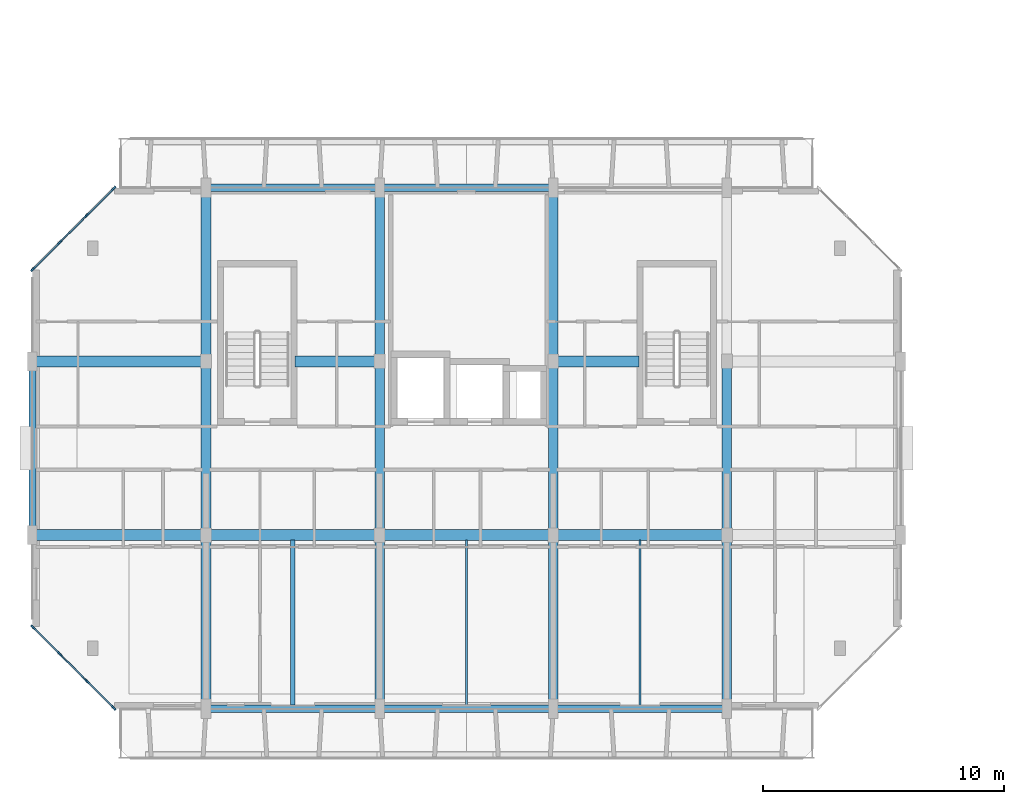
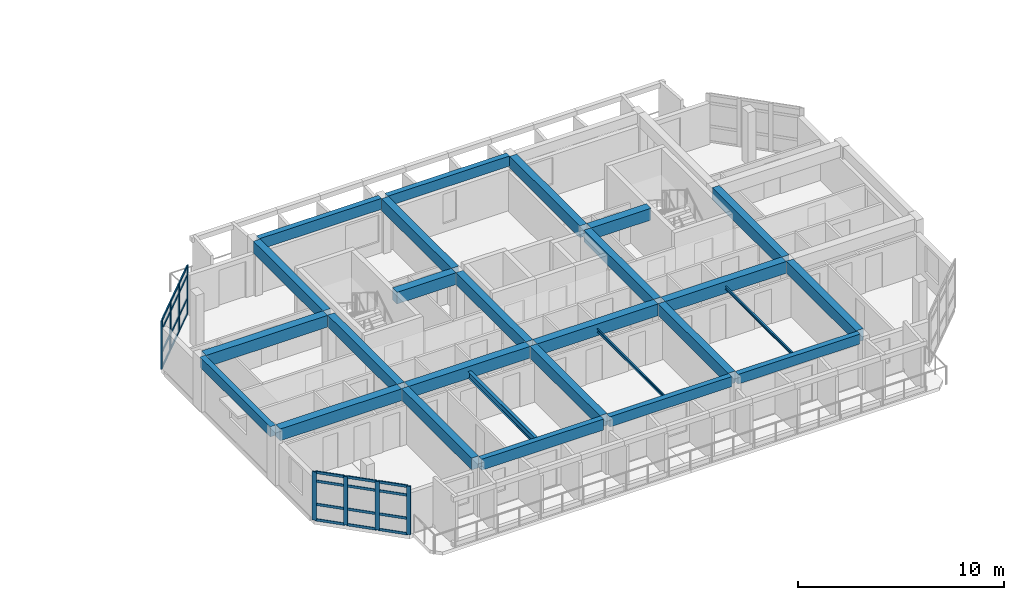
# One storey, part 3 of 44: 32 members, 27 beams, 2 elements without a shape of their own.
"""IFC4 building model written with IfcOpenShell, lengths in metres."""

from ifc_helpers import new_model, si_unit, direction, frame, origin, origin_2d, place, context, subcontext, project, spatial, rectangle, i_section, u_section, extrude, material, layer, layer_set, material_profile, profile_set, type_object, element, aggregate, save


model = new_model("IFC4")

# Units and contexts
model_context = context("Model", 3, precision=1e-05, world=origin(), true_north=direction((0.0, 1.0)))
body_context = subcontext(model_context, "Body", "Model", "MODEL_VIEW")
ifc_project = project(units=[si_unit("LENGTHUNIT", "METRE"), si_unit("AREAUNIT", "SQUARE_METRE"), si_unit("VOLUMEUNIT", "CUBIC_METRE"), si_unit("PLANEANGLEUNIT", "RADIAN"), si_unit("MASSUNIT", "GRAM", prefix="KILO")], contexts=[model_context])

# Site, building, storey
site_placement = place(None, origin())
site = spatial("IfcSite", under=ifc_project, at=site_placement, CompositionType="ELEMENT")
building_placement = place(site_placement, origin())
building = spatial("IfcBuilding", under=site, at=building_placement, Name="Ochrevale Crest", CompositionType="ELEMENT")
storey_placement = place(building_placement, frame((0.0, 0.0, 21.300048828125)))
storey = spatial("IfcBuildingStorey", under=building, at=storey_placement, Name="L06", CompositionType="ELEMENT", Elevation=21.300048828125)

# Beams
ifc_material_1 = material(Name="Precast concrete C50/60", Category="concrete")
ifc_material_profile_1 = material_profile(ifc_material_1, rectangle(XDim=0.39990234375, YDim=0.699951171875, at=origin_2d()), Name="PC 400x700")
ifc_profile_set_1 = profile_set([ifc_material_profile_1], Name="Precast concrete C50/60")
beam_type_1 = type_object("IfcBeamType", Name="BM-PC400x700", PredefinedType="BEAM", material=ifc_profile_set_1)
beam_1_placement = place(storey_placement, frame((7.199951171875, 14.580078125, 2.800048828125), z_axis=(0.0, 1.0, 0.0), x_axis=(-1.0, 0.0, 0.0)))
element("IfcBeam", 1, at=beam_1_placement, inside=storey, type_object=beam_type_1, Name="Block A L06 N-S beam X=7.2", PredefinedType="BEAM", context=body_context, shape_type="SweptSolid", body=[
    extrude(rectangle(XDim=0.39990234375, YDim=0.699951171875, at=origin_2d()), origin(), (0.0, 0.0, 1.0), 6.81494140625),
])
beam_2_placement = place(storey_placement, frame((7.199951171875, 21.804931640625, 2.800048828125), z_axis=(0.0, 1.0, 0.0), x_axis=(-1.0, 0.0, 0.0)))
element("IfcBeam", 2, at=beam_2_placement, inside=storey, type_object=beam_type_1, Name="Block A L06 N-S beam X=7.2", PredefinedType="BEAM", context=body_context, shape_type="SweptSolid", body=[
    extrude(rectangle(XDim=0.39990234375, YDim=0.699951171875, at=origin_2d()), origin(), (0.0, 0.0, 1.0), 6.7900390625),
])
beam_3_placement = place(storey_placement, frame((7.199951171875, 29.0048828125, 2.800048828125), z_axis=(0.0, 1.0, 0.0), x_axis=(-1.0, 0.0, 0.0)))
element("IfcBeam", 3, at=beam_3_placement, inside=storey, type_object=beam_type_1, Name="Block A L06 N-S beam X=7.2", PredefinedType="BEAM", context=body_context, shape_type="SweptSolid", body=[
    extrude(rectangle(XDim=0.39990234375, YDim=0.699951171875, at=origin_2d()), origin(), (0.0, 0.0, 1.0), 6.815185546875),
])
beam_4_placement = place(storey_placement, frame((14.39990234375, 14.580078125, 2.800048828125), z_axis=(0.0, 1.0, 0.0), x_axis=(-1.0, 0.0, 0.0)))
element("IfcBeam", 4, at=beam_4_placement, inside=storey, type_object=beam_type_1, Name="Block A L06 N-S beam X=14.4", PredefinedType="BEAM", context=body_context, shape_type="SweptSolid", body=[
    extrude(rectangle(XDim=0.39990234375, YDim=0.699951171875, at=origin_2d()), origin(), (0.0, 0.0, 1.0), 6.81494140625),
])
beam_5_placement = place(storey_placement, frame((14.39990234375, 21.804931640625, 2.800048828125), z_axis=(0.0, 1.0, 0.0), x_axis=(-1.0, 0.0, 0.0)))
element("IfcBeam", 5, at=beam_5_placement, inside=storey, type_object=beam_type_1, Name="Block A L06 N-S beam X=14.4", PredefinedType="BEAM", context=body_context, shape_type="SweptSolid", body=[
    extrude(rectangle(XDim=0.39990234375, YDim=0.699951171875, at=origin_2d()), origin(), (0.0, 0.0, 1.0), 6.7900390625),
])
beam_6_placement = place(storey_placement, frame((14.39990234375, 29.0048828125, 2.800048828125), z_axis=(0.0, 1.0, 0.0), x_axis=(-1.0, 0.0, 0.0)))
element("IfcBeam", 6, at=beam_6_placement, inside=storey, type_object=beam_type_1, Name="Block A L06 N-S beam X=14.4", PredefinedType="BEAM", context=body_context, shape_type="SweptSolid", body=[
    extrude(rectangle(XDim=0.39990234375, YDim=0.699951171875, at=origin_2d()), origin(), (0.0, 0.0, 1.0), 6.815185546875),
])
beam_7_placement = place(storey_placement, frame((21.60009765625, 14.580078125, 2.800048828125), z_axis=(0.0, 1.0, 0.0), x_axis=(-1.0, 0.0, 0.0)))
element("IfcBeam", 7, at=beam_7_placement, inside=storey, type_object=beam_type_1, Name="Block A L06 N-S beam X=21.6", PredefinedType="BEAM", context=body_context, shape_type="SweptSolid", body=[
    extrude(rectangle(XDim=0.39990234375, YDim=0.699951171875, at=origin_2d()), origin(), (0.0, 0.0, 1.0), 6.81494140625),
])
beam_8_placement = place(storey_placement, frame((21.60009765625, 21.804931640625, 2.800048828125), z_axis=(0.0, 1.0, 0.0), x_axis=(-1.0, 0.0, 0.0)))
element("IfcBeam", 8, at=beam_8_placement, inside=storey, type_object=beam_type_1, Name="Block A L06 N-S beam X=21.6", PredefinedType="BEAM", context=body_context, shape_type="SweptSolid", body=[
    extrude(rectangle(XDim=0.39990234375, YDim=0.699951171875, at=origin_2d()), origin(), (0.0, 0.0, 1.0), 6.7900390625),
])
beam_9_placement = place(storey_placement, frame((21.60009765625, 29.0048828125, 2.800048828125), z_axis=(0.0, 1.0, 0.0), x_axis=(-1.0, 0.0, 0.0)))
element("IfcBeam", 9, at=beam_9_placement, inside=storey, type_object=beam_type_1, Name="Block A L06 N-S beam X=21.6", PredefinedType="BEAM", context=body_context, shape_type="SweptSolid", body=[
    extrude(rectangle(XDim=0.39990234375, YDim=0.699951171875, at=origin_2d()), origin(), (0.0, 0.0, 1.0), 6.815185546875),
])
beam_10_placement = place(storey_placement, frame((28.800048828125, 14.580078125, 2.800048828125), z_axis=(0.0, 1.0, 0.0), x_axis=(-1.0, 0.0, 0.0)))
element("IfcBeam", 10, at=beam_10_placement, inside=storey, type_object=beam_type_1, Name="Block A L06 N-S beam X=28.8", PredefinedType="BEAM", context=body_context, shape_type="SweptSolid", body=[
    extrude(rectangle(XDim=0.39990234375, YDim=0.699951171875, at=origin_2d()), origin(), (0.0, 0.0, 1.0), 6.81494140625),
])
beam_11_placement = place(storey_placement, frame((28.800048828125, 21.804931640625, 2.800048828125), z_axis=(0.0, 1.0, 0.0), x_axis=(-1.0, 0.0, 0.0)))
element("IfcBeam", 11, at=beam_11_placement, inside=storey, type_object=beam_type_1, Name="Block A L06 N-S beam X=28.8", PredefinedType="BEAM", context=body_context, shape_type="SweptSolid", body=[
    extrude(rectangle(XDim=0.39990234375, YDim=0.699951171875, at=origin_2d()), origin(), (0.0, 0.0, 1.0), 6.7900390625),
])
ifc_material_2 = material(Name="Steel S355", Category="steel")
ifc_material_profile_2 = material_profile(ifc_material_2, u_section(Depth=0.199951171875, FlangeWidth=0.074951171875, WebThickness=0.006103515625, FlangeThickness=0.011962890625, FilletRadius=0.011962890625, at=origin_2d()), Name="200PFC")
ifc_profile_set_2 = profile_set([ifc_material_profile_2], Name="Steel S355")
beam_type_2 = type_object("IfcBeamType", Name="BM-PFC200", PredefinedType="JOIST", material=ifc_profile_set_2)
beam_12_placement = place(storey_placement, frame((18.0, 14.5380859375, 2.77490234375), z_axis=(0.0, 1.0, 0.0), x_axis=(-1.0, 0.0, 0.0)))
element("IfcBeam", 12, at=beam_12_placement, inside=storey, type_object=beam_type_2, Name="Block A L06 composite plank trimmer beam 3", PredefinedType="JOIST", context=body_context, shape_type="SweptSolid", body=[
    extrude(u_section(Depth=0.199951171875, FlangeWidth=0.074951171875, WebThickness=0.006103515625, FlangeThickness=0.011962890625, FilletRadius=0.011962890625, at=origin_2d()), origin(), (0.0, 0.0, 1.0), 6.848876953125),
])
ifc_material_3 = material(Name="Concrete C50/60", Category="concrete")
ifc_material_profile_3 = material_profile(ifc_material_3, rectangle(XDim=0.449951171875, YDim=0.699951171875, at=origin_2d()), Name="RC 450x700")
ifc_profile_set_3 = profile_set([ifc_material_profile_3], Name="Concrete C50/60")
beam_type_3 = type_object("IfcBeamType", Name="BM-PG450x700", PredefinedType="USERDEFINED", material=ifc_profile_set_3)
beam_13_placement = place(storey_placement, frame((0.175048828125, 21.60009765625, 2.800048828125), z_axis=(1.0, 0.0, 0.0), x_axis=(0.0, 1.0, 0.0)))
element("IfcBeam", 13, at=beam_13_placement, inside=storey, type_object=beam_type_3, Name="Block A L06 E-W beam Y=21.6", ObjectType="GIRDER", PredefinedType="USERDEFINED", context=body_context, shape_type="SweptSolid", body=[
    extrude(rectangle(XDim=0.449951171875, YDim=0.699951171875, at=origin_2d()), origin(), (0.0, 0.0, 1.0), 6.824951171875),
])
beam_14_placement = place(storey_placement, frame((7.39990234375, 21.60009765625, 2.800048828125), z_axis=(1.0, 0.0, 0.0), x_axis=(0.0, 1.0, 0.0)))
element("IfcBeam", 14, at=beam_14_placement, inside=storey, type_object=beam_type_3, Name="Block A L06 E-W beam Y=21.6", ObjectType="GIRDER", PredefinedType="USERDEFINED", context=body_context, shape_type="SweptSolid", body=[
    extrude(rectangle(XDim=0.449951171875, YDim=0.699951171875, at=origin_2d()), origin(), (0.0, 0.0, 1.0), 6.800048828125),
])
beam_15_placement = place(storey_placement, frame((14.60009765625, 21.60009765625, 2.800048828125), z_axis=(1.0, 0.0, 0.0), x_axis=(0.0, 1.0, 0.0)))
element("IfcBeam", 15, at=beam_15_placement, inside=storey, type_object=beam_type_3, Name="Block A L06 E-W beam Y=21.6", ObjectType="GIRDER", PredefinedType="USERDEFINED", context=body_context, shape_type="SweptSolid", body=[
    extrude(rectangle(XDim=0.449951171875, YDim=0.699951171875, at=origin_2d()), origin(), (0.0, 0.0, 1.0), 6.7998046875),
])
beam_16_placement = place(storey_placement, frame((21.800048828125, 21.60009765625, 2.800048828125), z_axis=(1.0, 0.0, 0.0), x_axis=(0.0, 1.0, 0.0)))
element("IfcBeam", 16, at=beam_16_placement, inside=storey, type_object=beam_type_3, Name="Block A L06 E-W beam Y=21.6", ObjectType="GIRDER", PredefinedType="USERDEFINED", context=body_context, shape_type="SweptSolid", body=[
    extrude(rectangle(XDim=0.449951171875, YDim=0.699951171875, at=origin_2d()), origin(), (0.0, 0.0, 1.0), 6.800048828125),
])
beam_17_placement = place(storey_placement, frame((0.175048828125, 28.800048828125, 2.800048828125), z_axis=(1.0, 0.0, 0.0), x_axis=(0.0, 1.0, 0.0)))
element("IfcBeam", 17, at=beam_17_placement, inside=storey, type_object=beam_type_3, Name="Block A L06 E-W beam Y=28.8", ObjectType="GIRDER", PredefinedType="USERDEFINED", context=body_context, shape_type="SweptSolid", body=[
    extrude(rectangle(XDim=0.449951171875, YDim=0.699951171875, at=origin_2d()), origin(), (0.0, 0.0, 1.0), 6.824951171875),
])
beam_18_placement = place(storey_placement, frame((10.889892578125, 28.800048828125, 2.800048828125), z_axis=(1.0, 0.0, 0.0), x_axis=(0.0, 1.0, 0.0)))
element("IfcBeam", 18, at=beam_18_placement, inside=storey, type_object=beam_type_3, Name="Block A L06 E-W beam Y=28.8", ObjectType="GIRDER", PredefinedType="USERDEFINED", context=body_context, shape_type="SweptSolid", body=[
    extrude(rectangle(XDim=0.449951171875, YDim=0.699951171875, at=origin_2d()), origin(), (0.0, 0.0, 1.0), 3.31005859375),
])
beam_19_placement = place(storey_placement, frame((21.800048828125, 28.800048828125, 2.800048828125), z_axis=(1.0, 0.0, 0.0), x_axis=(0.0, 1.0, 0.0)))
element("IfcBeam", 19, at=beam_19_placement, inside=storey, type_object=beam_type_3, Name="Block A L06 E-W beam Y=28.8", ObjectType="GIRDER", PredefinedType="USERDEFINED", context=body_context, shape_type="SweptSolid", body=[
    extrude(rectangle(XDim=0.449951171875, YDim=0.699951171875, at=origin_2d()), origin(), (0.0, 0.0, 1.0), 3.35986328125),
])
ifc_material_4 = material(Name="Precast concrete C40/50", Category="concrete")
ifc_material_profile_4 = material_profile(ifc_material_4, rectangle(XDim=0.300048828125, YDim=0.580078125, at=origin_2d()), Name="PC 300x580")
ifc_profile_set_4 = profile_set([ifc_material_profile_4], Name="Precast concrete C40/50")
beam_type_4 = type_object("IfcBeamType", Name="BM-SP300x580", PredefinedType="SPANDREL", material=ifc_profile_set_4)
beam_20_placement = place(storey_placement, frame((21.77490234375, 14.39990234375, 2.85986328125), z_axis=(1.0, 0.0, 0.0), x_axis=(0.0, 1.0, 0.0)))
element("IfcBeam", 20, at=beam_20_placement, inside=storey, type_object=beam_type_4, Name="Block A L06 E-W beam Y=14.4", PredefinedType="SPANDREL", context=body_context, shape_type="SweptSolid", body=[
    extrude(rectangle(XDim=0.300048828125, YDim=0.580078125, at=origin_2d()), origin(), (0.0, 0.0, 1.0), 6.85009765625),
])
ifc_material_profile_5 = material_profile(ifc_material_4, rectangle(XDim=0.300048828125, YDim=0.60009765625, at=origin_2d()), Name="PC 300x600")
ifc_profile_set_5 = profile_set([ifc_material_profile_5], Name="Precast concrete C40/50")
beam_type_5 = type_object("IfcBeamType", Name="BM-SP300x600", PredefinedType="SPANDREL", material=ifc_profile_set_5)
for number, where, z_axis, x_axis, name in (
    (21, (14.574951171875, 14.39990234375, 2.849853515625), (1.0, 0.0, 0.0), (0.0, 1.0, 0.0), "Block A L06 E-W beam Y=14.4"),
    (22, (14.574951171875, 36.0, 2.849853515625), (1.0, 0.0, 0.0), (0.0, 1.0, 0.0), "Block A L06 E-W beam Y=36.0"),
):
    element("IfcBeam", number, at=place(storey_placement, frame(where, z_axis=z_axis, x_axis=x_axis)), inside=storey, type_object=beam_type_5, Name=name, PredefinedType="SPANDREL", context=body_context, shape_type="SweptSolid", body=[
        extrude(rectangle(XDim=0.300048828125, YDim=0.60009765625, at=origin_2d()), origin(), (0.0, 0.0, 1.0), 6.85009765625),
    ])
beam_21_placement = place(storey_placement, frame((0.0, 21.780029296875, 2.849853515625), z_axis=(0.0, 1.0, 0.0), x_axis=(-1.0, 0.0, 0.0)))
element("IfcBeam", 23, at=beam_21_placement, inside=storey, type_object=beam_type_5, Name="Block A L06 N-S beam X=0.0", PredefinedType="SPANDREL", context=body_context, shape_type="SweptSolid", body=[
    extrude(rectangle(XDim=0.300048828125, YDim=0.60009765625, at=origin_2d()), origin(), (0.0, 0.0, 1.0), 6.840087890625),
])
ifc_material_profile_6 = material_profile(ifc_material_4, rectangle(XDim=0.300048828125, YDim=0.64990234375, at=origin_2d()), Name="PC 300x650")
ifc_profile_set_6 = profile_set([ifc_material_profile_6], Name="Precast concrete C40/50")
beam_type_6 = type_object("IfcBeamType", Name="BM-SP300x650", PredefinedType="SPANDREL", material=ifc_profile_set_6)
for number, where, z_axis, x_axis, name in (
    (24, (7.375, 14.39990234375, 2.824951171875), (1.0, 0.0, 0.0), (0.0, 1.0, 0.0), "Block A L06 E-W beam Y=14.4"),
    (25, (7.375, 36.0, 2.824951171875), (1.0, 0.0, 0.0), (0.0, 1.0, 0.0), "Block A L06 E-W beam Y=36.0"),
):
    element("IfcBeam", number, at=place(storey_placement, frame(where, z_axis=z_axis, x_axis=x_axis)), inside=storey, type_object=beam_type_6, Name=name, PredefinedType="SPANDREL", context=body_context, shape_type="SweptSolid", body=[
        extrude(rectangle(XDim=0.300048828125, YDim=0.64990234375, at=origin_2d()), origin(), (0.0, 0.0, 1.0), 6.85009765625),
    ])
ifc_material_profile_7 = material_profile(ifc_material_2, i_section(OverallWidth=0.090087890625, OverallDepth=0.1787109375, WebThickness=0.006103515625, FlangeThickness=0.010009765625, FilletRadius=0.0087890625, at=origin_2d()), Name="180UB22.2")
ifc_profile_set_7 = profile_set([ifc_material_profile_7], Name="Steel S355")
beam_type_7 = type_object("IfcBeamType", Name="BM-UB180", PredefinedType="JOIST", material=ifc_profile_set_7)
beam_22_placement = place(storey_placement, frame((25.199951171875, 14.5380859375, 2.78564453125), z_axis=(0.0, 1.0, 0.0), x_axis=(-1.0, 0.0, 0.0)))
element("IfcBeam", 26, at=beam_22_placement, inside=storey, type_object=beam_type_7, Name="Block A L06 composite plank trimmer beam 4", PredefinedType="JOIST", context=body_context, shape_type="SweptSolid", body=[
    extrude(i_section(OverallWidth=0.090087890625, OverallDepth=0.1787109375, WebThickness=0.006103515625, FlangeThickness=0.010009765625, FilletRadius=0.0087890625, at=origin_2d()), origin(), (0.0, 0.0, 1.0), 6.848876953125),
])
ifc_material_profile_8 = material_profile(ifc_material_2, i_section(OverallWidth=0.177734375, OverallDepth=0.402587890625, WebThickness=0.007568359375, FlangeThickness=0.010986328125, FilletRadius=0.011474609375, at=origin_2d()), Name="410UB53.7")
ifc_profile_set_8 = profile_set([ifc_material_profile_8], Name="Steel S355")
beam_type_8 = type_object("IfcBeamType", Name="BM-UB410A", PredefinedType="BEAM", material=ifc_profile_set_8)
beam_23_placement = place(storey_placement, frame((10.800048828125, 14.5380859375, 2.673583984375), z_axis=(0.0, 1.0, 0.0), x_axis=(-1.0, 0.0, 0.0)))
element("IfcBeam", 27, at=beam_23_placement, inside=storey, type_object=beam_type_8, Name="Block A L06 composite plank trimmer beam 2", PredefinedType="BEAM", context=body_context, shape_type="SweptSolid", body=[
    extrude(i_section(OverallWidth=0.177734375, OverallDepth=0.402587890625, WebThickness=0.007568359375, FlangeThickness=0.010986328125, FilletRadius=0.011474609375, at=origin_2d()), origin(), (0.0, 0.0, 1.0), 6.848876953125),
])

# Curtain wall, members
ifc_material_5 = material(Name="Anodised aluminium 6063-T5", Category="aluminium")
ifc_layer_1 = layer(ifc_material_5, 0.14990234375)
ifc_layer_set_1 = layer_set([ifc_layer_1], Name="Anodised aluminium 6063-T5")
curtain_wall_type_1 = type_object("IfcCurtainWallType", Name="CW-WG-320x285", PredefinedType="NOTDEFINED", material=ifc_layer_set_1)
curtain_wall_1_placement = place(storey_placement, origin())
curtain_wall_1 = element("IfcCurtainWall", 28, at=curtain_wall_1_placement, inside=storey, type_object=curtain_wall_type_1, Name="Block A L06 chamfered corner wintergarden curtain wall 6", PredefinedType="NOTDEFINED")
ifc_material_profile_9 = material_profile(ifc_material_5, rectangle(XDim=0.074951171875, YDim=0.219970703125, at=origin_2d()), Name="ALU 75x220")
ifc_profile_set_9 = profile_set([ifc_material_profile_9], Name="Anodised aluminium 6063-T5")
member_type_1 = type_object("IfcMemberType", Name="CW-MUL-75x220", PredefinedType="MULLION", material=ifc_profile_set_9)
member_1_placement = place(storey_placement, frame((3.37353515625, 35.973388671875, 0.0), z_axis=(0.0, 0.0, 1.0), x_axis=(0.707106781187, -0.707106781187, 0.0)))
member_1 = element("IfcMember", 29, at=member_1_placement, type_object=member_type_1, Name="CW17 mullion 1", PredefinedType="MULLION", context=body_context, shape_type="SweptSolid", body=[
    extrude(rectangle(XDim=0.074951171875, YDim=0.219970703125, at=origin_2d()), origin(), (0.0, 0.0, 1.0), 2.875),
])
member_2_placement = place(storey_placement, frame((2.2666015625, 34.86669921875, 0.0), z_axis=(0.0, 0.0, 1.0), x_axis=(0.707106781187, -0.707106781187, 0.0)))
member_2 = element("IfcMember", 30, at=member_2_placement, type_object=member_type_1, Name="CW17 mullion 2", PredefinedType="MULLION", context=body_context, shape_type="SweptSolid", body=[
    extrude(rectangle(XDim=0.074951171875, YDim=0.219970703125, at=origin_2d()), origin(), (0.0, 0.0, 1.0), 2.875),
])
member_3_placement = place(storey_placement, frame((1.13330078125, 33.7333984375, 0.0), z_axis=(0.0, 0.0, 1.0), x_axis=(0.707106781187, -0.707106781187, 0.0)))
member_3 = element("IfcMember", 31, at=member_3_placement, type_object=member_type_1, Name="CW17 mullion 3", PredefinedType="MULLION", context=body_context, shape_type="SweptSolid", body=[
    extrude(rectangle(XDim=0.074951171875, YDim=0.219970703125, at=origin_2d()), origin(), (0.0, 0.0, 1.0), 2.875),
])
member_4_placement = place(storey_placement, frame((0.026611328125, 32.62646484375, 0.0), z_axis=(0.0, 0.0, 1.0), x_axis=(0.707106781187, -0.707106781187, 0.0)))
member_4 = element("IfcMember", 32, at=member_4_placement, type_object=member_type_1, Name="CW17 mullion 4", PredefinedType="MULLION", context=body_context, shape_type="SweptSolid", body=[
    extrude(rectangle(XDim=0.074951171875, YDim=0.219970703125, at=origin_2d()), origin(), (0.0, 0.0, 1.0), 2.875),
])

ifc_layer_2 = layer(ifc_material_5, 0.14990234375)
ifc_layer_set_2 = layer_set([ifc_layer_2], Name="Anodised aluminium 6063-T5")
curtain_wall_type_2 = type_object("IfcCurtainWallType", Name="CW-WG-420x285", PredefinedType="NOTDEFINED", material=ifc_layer_set_2)
curtain_wall_2_placement = place(storey_placement, origin())
curtain_wall_2 = element("IfcCurtainWall", 33, at=curtain_wall_2_placement, inside=storey, type_object=curtain_wall_type_2, Name="Block A L06 chamfered corner wintergarden curtain wall 8", PredefinedType="NOTDEFINED")
member_5_placement = place(storey_placement, frame((0.026611328125, 17.7734375, 0.0), z_axis=(0.0, 0.0, 1.0), x_axis=(0.707106781187, 0.707106781187, 0.0)))
member_5 = element("IfcMember", 34, at=member_5_placement, type_object=member_type_1, Name="CW22 mullion 1", PredefinedType="MULLION", context=body_context, shape_type="SweptSolid", body=[
    extrude(rectangle(XDim=0.074951171875, YDim=0.219970703125, at=origin_2d()), origin(), (0.0, 0.0, 1.0), 2.875),
])
member_6_placement = place(storey_placement, frame((1.13330078125, 16.666748046875, 0.0), z_axis=(0.0, 0.0, 1.0), x_axis=(0.707106781187, 0.707106781187, 0.0)))
member_6 = element("IfcMember", 35, at=member_6_placement, type_object=member_type_1, Name="CW22 mullion 2", PredefinedType="MULLION", context=body_context, shape_type="SweptSolid", body=[
    extrude(rectangle(XDim=0.074951171875, YDim=0.219970703125, at=origin_2d()), origin(), (0.0, 0.0, 1.0), 2.875),
])
member_7_placement = place(storey_placement, frame((2.2666015625, 15.533447265625, 0.0), z_axis=(0.0, 0.0, 1.0), x_axis=(0.707106781187, 0.707106781187, 0.0)))
member_7 = element("IfcMember", 36, at=member_7_placement, type_object=member_type_1, Name="CW22 mullion 3", PredefinedType="MULLION", context=body_context, shape_type="SweptSolid", body=[
    extrude(rectangle(XDim=0.074951171875, YDim=0.219970703125, at=origin_2d()), origin(), (0.0, 0.0, 1.0), 2.875),
])
member_8_placement = place(storey_placement, frame((3.37353515625, 14.426513671875, 0.0), z_axis=(0.0, 0.0, 1.0), x_axis=(0.707106781187, 0.707106781187, 0.0)))
member_8 = element("IfcMember", 37, at=member_8_placement, type_object=member_type_1, Name="CW22 mullion 4", PredefinedType="MULLION", context=body_context, shape_type="SweptSolid", body=[
    extrude(rectangle(XDim=0.074951171875, YDim=0.219970703125, at=origin_2d()), origin(), (0.0, 0.0, 1.0), 2.875),
])

# Member
ifc_material_profile_10 = material_profile(ifc_material_5, rectangle(XDim=0.06005859375, YDim=0.14990234375, at=origin_2d()), Name="ALU 60x150")
ifc_profile_set_10 = profile_set([ifc_material_profile_10], Name="Anodised aluminium 6063-T5")
member_type_2 = type_object("IfcMemberType", Name="CW-TRN-60x150", PredefinedType="USERDEFINED", material=ifc_profile_set_10)
member_9_placement = place(storey_placement, frame((3.346923828125, 35.947021484375, 0.030029296875), z_axis=(-0.70702486902, -0.707188683865, 0.0), x_axis=(0.707188683865, -0.70702486902, 0.0)))
member_9 = element("IfcMember", 38, at=member_9_placement, type_object=member_type_2, Name="CW17 transom 1.1", ObjectType="TRANSOM", PredefinedType="USERDEFINED", context=body_context, shape_type="SweptSolid", body=[
    extrude(rectangle(XDim=0.06005859375, YDim=0.14990234375, at=origin_2d()), origin(), (0.0, 0.0, 1.0), 1.490234375),
])

member_10_placement = place(storey_placement, frame((3.346923828125, 35.947021484375, 0.949951171875), z_axis=(-0.70702486902, -0.707188683865, 0.0), x_axis=(0.707188683865, -0.70702486902, 0.0)))
member_10 = element("IfcMember", 39, at=member_10_placement, type_object=member_type_2, Name="CW17 transom 1.2", ObjectType="TRANSOM", PredefinedType="USERDEFINED", context=body_context, shape_type="SweptSolid", body=[
    extrude(rectangle(XDim=0.06005859375, YDim=0.14990234375, at=origin_2d()), origin(), (0.0, 0.0, 1.0), 1.490234375),
])

member_11_placement = place(storey_placement, frame((3.346923828125, 35.947021484375, 2.324951171875), z_axis=(-0.70702486902, -0.707188683865, 0.0), x_axis=(0.707188683865, -0.70702486902, 0.0)))
member_11 = element("IfcMember", 40, at=member_11_placement, type_object=member_type_2, Name="CW17 transom 1.3", ObjectType="TRANSOM", PredefinedType="USERDEFINED", context=body_context, shape_type="SweptSolid", body=[
    extrude(rectangle(XDim=0.06005859375, YDim=0.14990234375, at=origin_2d()), origin(), (0.0, 0.0, 1.0), 1.490234375),
])

member_12_placement = place(storey_placement, frame((3.346923828125, 35.947021484375, 2.844970703125), z_axis=(-0.70702486902, -0.707188683865, 0.0), x_axis=(0.707188683865, -0.70702486902, 0.0)))
member_12 = element("IfcMember", 41, at=member_12_placement, type_object=member_type_2, Name="CW17 transom 1.4", ObjectType="TRANSOM", PredefinedType="USERDEFINED", context=body_context, shape_type="SweptSolid", body=[
    extrude(rectangle(XDim=0.06005859375, YDim=0.14990234375, at=origin_2d()), origin(), (0.0, 0.0, 1.0), 1.490234375),
])

member_13_placement = place(storey_placement, frame((2.240234375, 34.840087890625, 0.030029296875), z_axis=(-0.707106781187, -0.707106781187, 0.0), x_axis=(0.707106781187, -0.707106781187, 0.0)))
member_13 = element("IfcMember", 42, at=member_13_placement, type_object=member_type_2, Name="CW17 transom 2.1", ObjectType="TRANSOM", PredefinedType="USERDEFINED", context=body_context, shape_type="SweptSolid", body=[
    extrude(rectangle(XDim=0.06005859375, YDim=0.14990234375, at=origin_2d()), origin(), (0.0, 0.0, 1.0), 1.52783203125),
])

member_14_placement = place(storey_placement, frame((2.240234375, 34.840087890625, 0.949951171875), z_axis=(-0.707106781187, -0.707106781187, 0.0), x_axis=(0.707106781187, -0.707106781187, 0.0)))
member_14 = element("IfcMember", 43, at=member_14_placement, type_object=member_type_2, Name="CW17 transom 2.2", ObjectType="TRANSOM", PredefinedType="USERDEFINED", context=body_context, shape_type="SweptSolid", body=[
    extrude(rectangle(XDim=0.06005859375, YDim=0.14990234375, at=origin_2d()), origin(), (0.0, 0.0, 1.0), 1.52783203125),
])

member_15_placement = place(storey_placement, frame((2.240234375, 34.840087890625, 2.324951171875), z_axis=(-0.707106781187, -0.707106781187, 0.0), x_axis=(0.707106781187, -0.707106781187, 0.0)))
member_15 = element("IfcMember", 44, at=member_15_placement, type_object=member_type_2, Name="CW17 transom 2.3", ObjectType="TRANSOM", PredefinedType="USERDEFINED", context=body_context, shape_type="SweptSolid", body=[
    extrude(rectangle(XDim=0.06005859375, YDim=0.14990234375, at=origin_2d()), origin(), (0.0, 0.0, 1.0), 1.52783203125),
])

member_16_placement = place(storey_placement, frame((2.240234375, 34.840087890625, 2.844970703125), z_axis=(-0.707106781187, -0.707106781187, 0.0), x_axis=(0.707106781187, -0.707106781187, 0.0)))
member_16 = element("IfcMember", 45, at=member_16_placement, type_object=member_type_2, Name="CW17 transom 2.4", ObjectType="TRANSOM", PredefinedType="USERDEFINED", context=body_context, shape_type="SweptSolid", body=[
    extrude(rectangle(XDim=0.06005859375, YDim=0.14990234375, at=origin_2d()), origin(), (0.0, 0.0, 1.0), 1.52783203125),
])

member_17_placement = place(storey_placement, frame((1.10693359375, 33.706787109375, 0.030029296875), z_axis=(-0.707188683865, -0.70702486902, 0.0), x_axis=(0.70702486902, -0.707188683865, 0.0)))
member_17 = element("IfcMember", 46, at=member_17_placement, type_object=member_type_2, Name="CW17 transom 3.1", ObjectType="TRANSOM", PredefinedType="USERDEFINED", context=body_context, shape_type="SweptSolid", body=[
    extrude(rectangle(XDim=0.06005859375, YDim=0.14990234375, at=origin_2d()), origin(), (0.0, 0.0, 1.0), 1.490234375),
])

member_18_placement = place(storey_placement, frame((1.10693359375, 33.706787109375, 0.949951171875), z_axis=(-0.707188683865, -0.70702486902, 0.0), x_axis=(0.70702486902, -0.707188683865, 0.0)))
member_18 = element("IfcMember", 47, at=member_18_placement, type_object=member_type_2, Name="CW17 transom 3.2", ObjectType="TRANSOM", PredefinedType="USERDEFINED", context=body_context, shape_type="SweptSolid", body=[
    extrude(rectangle(XDim=0.06005859375, YDim=0.14990234375, at=origin_2d()), origin(), (0.0, 0.0, 1.0), 1.490234375),
])

member_19_placement = place(storey_placement, frame((1.10693359375, 33.706787109375, 2.324951171875), z_axis=(-0.707188683865, -0.70702486902, 0.0), x_axis=(0.70702486902, -0.707188683865, 0.0)))
member_19 = element("IfcMember", 48, at=member_19_placement, type_object=member_type_2, Name="CW17 transom 3.3", ObjectType="TRANSOM", PredefinedType="USERDEFINED", context=body_context, shape_type="SweptSolid", body=[
    extrude(rectangle(XDim=0.06005859375, YDim=0.14990234375, at=origin_2d()), origin(), (0.0, 0.0, 1.0), 1.490234375),
])

member_20_placement = place(storey_placement, frame((1.10693359375, 33.706787109375, 2.844970703125), z_axis=(-0.707188683865, -0.70702486902, 0.0), x_axis=(0.70702486902, -0.707188683865, 0.0)))
member_20 = element("IfcMember", 49, at=member_20_placement, type_object=member_type_2, Name="CW17 transom 3.4", ObjectType="TRANSOM", PredefinedType="USERDEFINED", context=body_context, shape_type="SweptSolid", body=[
    extrude(rectangle(XDim=0.06005859375, YDim=0.14990234375, at=origin_2d()), origin(), (0.0, 0.0, 1.0), 1.490234375),
])

aggregate(curtain_wall_1, [member_1, member_2, member_3, member_4, member_9, member_10, member_11, member_12, member_13, member_14, member_15, member_16, member_17, member_18, member_19, member_20])

member_21_placement = place(storey_placement, frame((0.052978515625, 17.7470703125, 0.030029296875), z_axis=(0.707106781187, -0.707106781187, 0.0), x_axis=(0.707106781187, 0.707106781187, 0.0)))
member_21 = element("IfcMember", 50, at=member_21_placement, type_object=member_type_2, Name="CW22 transom 1.1", ObjectType="TRANSOM", PredefinedType="USERDEFINED", context=body_context, shape_type="SweptSolid", body=[
    extrude(rectangle(XDim=0.06005859375, YDim=0.14990234375, at=origin_2d()), origin(), (0.0, 0.0, 1.0), 1.490478515625),
])

member_22_placement = place(storey_placement, frame((0.052978515625, 17.7470703125, 0.949951171875), z_axis=(0.707106781187, -0.707106781187, 0.0), x_axis=(0.707106781187, 0.707106781187, 0.0)))
member_22 = element("IfcMember", 51, at=member_22_placement, type_object=member_type_2, Name="CW22 transom 1.2", ObjectType="TRANSOM", PredefinedType="USERDEFINED", context=body_context, shape_type="SweptSolid", body=[
    extrude(rectangle(XDim=0.06005859375, YDim=0.14990234375, at=origin_2d()), origin(), (0.0, 0.0, 1.0), 1.490478515625),
])

member_23_placement = place(storey_placement, frame((0.052978515625, 17.7470703125, 2.324951171875), z_axis=(0.707106781187, -0.707106781187, 0.0), x_axis=(0.707106781187, 0.707106781187, 0.0)))
member_23 = element("IfcMember", 52, at=member_23_placement, type_object=member_type_2, Name="CW22 transom 1.3", ObjectType="TRANSOM", PredefinedType="USERDEFINED", context=body_context, shape_type="SweptSolid", body=[
    extrude(rectangle(XDim=0.06005859375, YDim=0.14990234375, at=origin_2d()), origin(), (0.0, 0.0, 1.0), 1.490478515625),
])

member_24_placement = place(storey_placement, frame((0.052978515625, 17.7470703125, 2.844970703125), z_axis=(0.707106781187, -0.707106781187, 0.0), x_axis=(0.707106781187, 0.707106781187, 0.0)))
member_24 = element("IfcMember", 53, at=member_24_placement, type_object=member_type_2, Name="CW22 transom 1.4", ObjectType="TRANSOM", PredefinedType="USERDEFINED", context=body_context, shape_type="SweptSolid", body=[
    extrude(rectangle(XDim=0.06005859375, YDim=0.14990234375, at=origin_2d()), origin(), (0.0, 0.0, 1.0), 1.490478515625),
])

member_25_placement = place(storey_placement, frame((1.159912109375, 16.64013671875, 0.030029296875), z_axis=(0.707106781187, -0.707106781187, 0.0), x_axis=(0.707106781187, 0.707106781187, 0.0)))
member_25 = element("IfcMember", 54, at=member_25_placement, type_object=member_type_2, Name="CW22 transom 2.1", ObjectType="TRANSOM", PredefinedType="USERDEFINED", context=body_context, shape_type="SweptSolid", body=[
    extrude(rectangle(XDim=0.06005859375, YDim=0.14990234375, at=origin_2d()), origin(), (0.0, 0.0, 1.0), 1.52783203125),
])

member_26_placement = place(storey_placement, frame((1.159912109375, 16.64013671875, 0.949951171875), z_axis=(0.707106781187, -0.707106781187, 0.0), x_axis=(0.707106781187, 0.707106781187, 0.0)))
member_26 = element("IfcMember", 55, at=member_26_placement, type_object=member_type_2, Name="CW22 transom 2.2", ObjectType="TRANSOM", PredefinedType="USERDEFINED", context=body_context, shape_type="SweptSolid", body=[
    extrude(rectangle(XDim=0.06005859375, YDim=0.14990234375, at=origin_2d()), origin(), (0.0, 0.0, 1.0), 1.52783203125),
])

member_27_placement = place(storey_placement, frame((1.159912109375, 16.64013671875, 2.324951171875), z_axis=(0.707106781187, -0.707106781187, 0.0), x_axis=(0.707106781187, 0.707106781187, 0.0)))
member_27 = element("IfcMember", 56, at=member_27_placement, type_object=member_type_2, Name="CW22 transom 2.3", ObjectType="TRANSOM", PredefinedType="USERDEFINED", context=body_context, shape_type="SweptSolid", body=[
    extrude(rectangle(XDim=0.06005859375, YDim=0.14990234375, at=origin_2d()), origin(), (0.0, 0.0, 1.0), 1.52783203125),
])

member_28_placement = place(storey_placement, frame((1.159912109375, 16.64013671875, 2.844970703125), z_axis=(0.707106781187, -0.707106781187, 0.0), x_axis=(0.707106781187, 0.707106781187, 0.0)))
member_28 = element("IfcMember", 57, at=member_28_placement, type_object=member_type_2, Name="CW22 transom 2.4", ObjectType="TRANSOM", PredefinedType="USERDEFINED", context=body_context, shape_type="SweptSolid", body=[
    extrude(rectangle(XDim=0.06005859375, YDim=0.14990234375, at=origin_2d()), origin(), (0.0, 0.0, 1.0), 1.52783203125),
])

member_29_placement = place(storey_placement, frame((2.293212890625, 15.5068359375, 0.030029296875), z_axis=(0.707106781187, -0.707106781187, 0.0), x_axis=(0.707106781187, 0.707106781187, 0.0)))
member_29 = element("IfcMember", 58, at=member_29_placement, type_object=member_type_2, Name="CW22 transom 3.1", ObjectType="TRANSOM", PredefinedType="USERDEFINED", context=body_context, shape_type="SweptSolid", body=[
    extrude(rectangle(XDim=0.06005859375, YDim=0.14990234375, at=origin_2d()), origin(), (0.0, 0.0, 1.0), 1.490234375),
])

member_30_placement = place(storey_placement, frame((2.293212890625, 15.5068359375, 0.949951171875), z_axis=(0.707106781187, -0.707106781187, 0.0), x_axis=(0.707106781187, 0.707106781187, 0.0)))
member_30 = element("IfcMember", 59, at=member_30_placement, type_object=member_type_2, Name="CW22 transom 3.2", ObjectType="TRANSOM", PredefinedType="USERDEFINED", context=body_context, shape_type="SweptSolid", body=[
    extrude(rectangle(XDim=0.06005859375, YDim=0.14990234375, at=origin_2d()), origin(), (0.0, 0.0, 1.0), 1.490234375),
])

member_31_placement = place(storey_placement, frame((2.293212890625, 15.5068359375, 2.324951171875), z_axis=(0.707106781187, -0.707106781187, 0.0), x_axis=(0.707106781187, 0.707106781187, 0.0)))
member_31 = element("IfcMember", 60, at=member_31_placement, type_object=member_type_2, Name="CW22 transom 3.3", ObjectType="TRANSOM", PredefinedType="USERDEFINED", context=body_context, shape_type="SweptSolid", body=[
    extrude(rectangle(XDim=0.06005859375, YDim=0.14990234375, at=origin_2d()), origin(), (0.0, 0.0, 1.0), 1.490234375),
])

member_32_placement = place(storey_placement, frame((2.293212890625, 15.5068359375, 2.844970703125), z_axis=(0.707106781187, -0.707106781187, 0.0), x_axis=(0.707106781187, 0.707106781187, 0.0)))
member_32 = element("IfcMember", 61, at=member_32_placement, type_object=member_type_2, Name="CW22 transom 3.4", ObjectType="TRANSOM", PredefinedType="USERDEFINED", context=body_context, shape_type="SweptSolid", body=[
    extrude(rectangle(XDim=0.06005859375, YDim=0.14990234375, at=origin_2d()), origin(), (0.0, 0.0, 1.0), 1.490234375),
])

aggregate(curtain_wall_2, [member_5, member_6, member_7, member_8, member_21, member_22, member_23, member_24, member_25, member_26, member_27, member_28, member_29, member_30, member_31, member_32])

save(model, "model.ifc")
